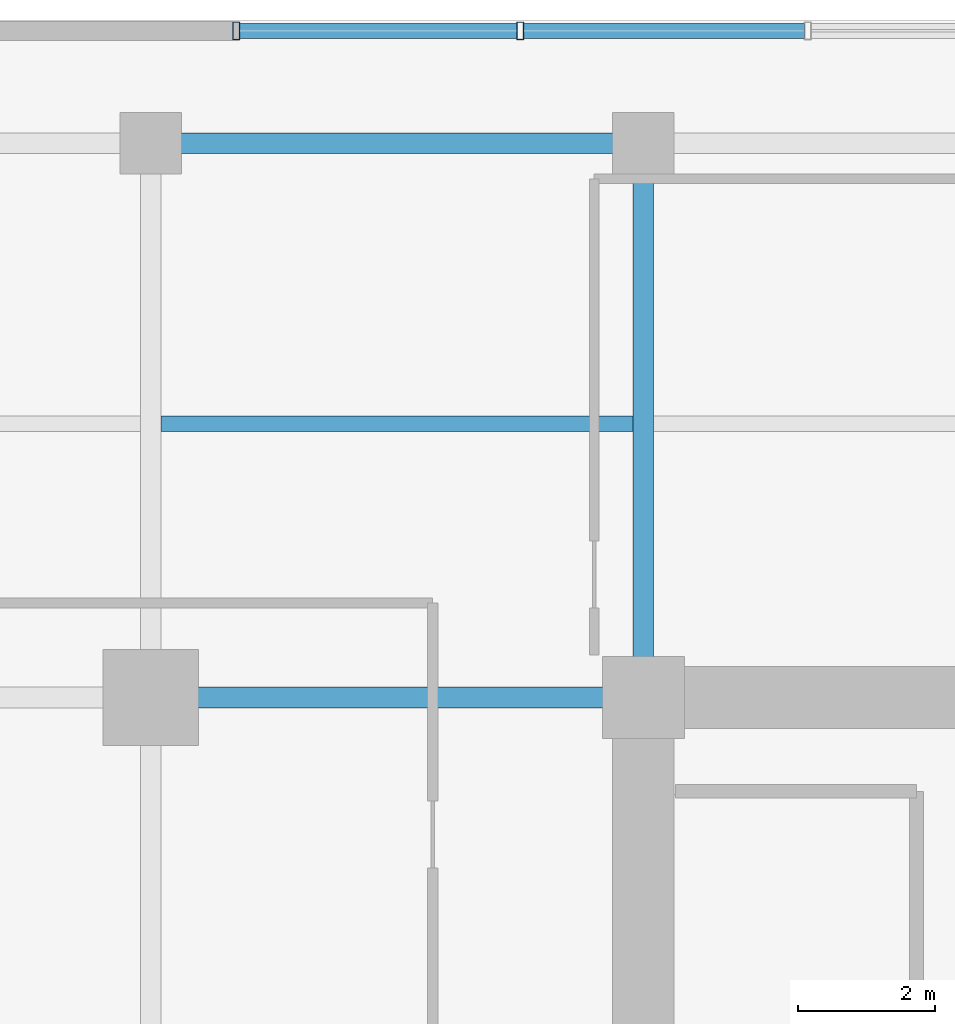
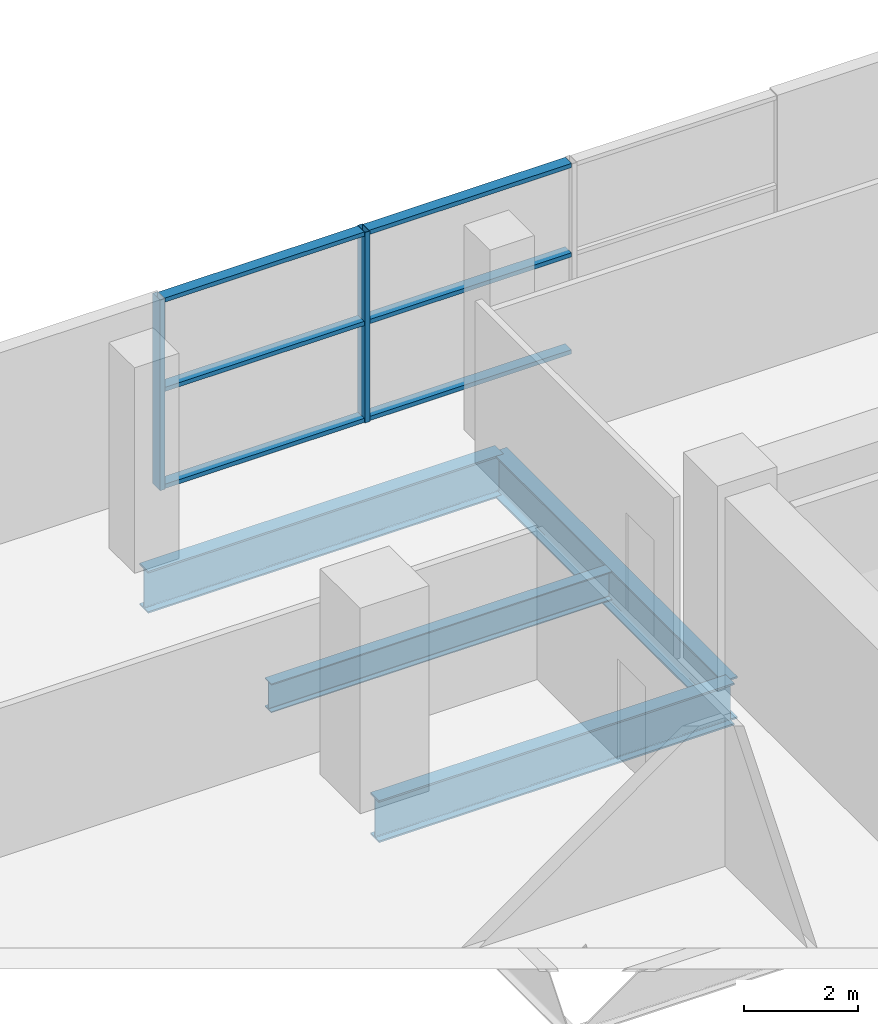
# One storey, part 8 of 21: 8 members, 4 beams, 1 element without a shape of its own.
"""IFC4 building model written with IfcOpenShell, lengths in metres."""

from ifc_helpers import new_model, si_unit, direction, frame, origin, origin_2d, place, context, subcontext, project, spatial, hollow_rectangle, i_section, extrude, source, transform, mapped, material, layer, layer_set, material_profile, profile_set, type_object, element, aggregate, save


model = new_model("IFC4")

# Units and contexts
model_context = context("Model", 3, precision=1e-05, world=origin(), true_north=direction((0.0, 1.0)))
body_context = subcontext(model_context, "Body", "Model", "MODEL_VIEW")
ifc_project = project(units=[si_unit("LENGTHUNIT", "METRE"), si_unit("AREAUNIT", "SQUARE_METRE"), si_unit("VOLUMEUNIT", "CUBIC_METRE"), si_unit("PLANEANGLEUNIT", "RADIAN"), si_unit("MASSUNIT", "GRAM", prefix="KILO")], contexts=[model_context])

# Site, building, storey
site_placement = place(None, origin())
site = spatial("IfcSite", under=ifc_project, at=site_placement, CompositionType="ELEMENT")
building_placement = place(site_placement, origin())
building = spatial("IfcBuilding", under=site, at=building_placement, Name="Zarnakvel Exchange Tower", CompositionType="ELEMENT")
storey_placement = place(building_placement, frame((0.0, 0.0, 18.199951171875)))
storey = spatial("IfcBuildingStorey", under=building, at=storey_placement, Name="L04", CompositionType="ELEMENT", Elevation=18.199951171875)

# Beams
ifc_material_1 = material(Name="Steel S355", Category="steel")
ifc_material_profile_1 = material_profile(ifc_material_1, i_section(OverallWidth=0.230224609375, OverallDepth=0.6171875, WebThickness=0.01318359375, FlangeThickness=0.022216796875, FilletRadius=0.0126953125, at=origin_2d()))
ifc_profile_set_1 = profile_set([ifc_material_profile_1], Name="Steel S355")
beam_type_1 = type_object("IfcBeamType", Name="B-02", PredefinedType="JOIST", material=ifc_profile_set_1)
beam_1_placement = place(storey_placement, frame((-21.449951171875, 17.5, -0.608642578125), z_axis=(1.0, 0.0, 0.0), x_axis=(0.0, 1.0, 0.0)))
element("IfcBeam", 1, at=beam_1_placement, inside=storey, type_object=beam_type_1, Name="L04 North Bay Secondary Floor Joist", PredefinedType="JOIST", context=body_context, shape_type="SweptSolid", body=[
    extrude(i_section(OverallWidth=0.230224609375, OverallDepth=0.6171875, WebThickness=0.01318359375, FlangeThickness=0.022216796875, FilletRadius=0.0126953125, at=origin_2d()), origin(), (0.0, 0.0, 1.0), 6.89990234375),
])
ifc_material_profile_2 = material_profile(ifc_material_1, i_section(OverallWidth=0.300048828125, OverallDepth=0.89990234375, WebThickness=0.0185546875, FlangeThickness=0.034912109375, FilletRadius=0.030029296875, at=origin_2d()))
ifc_profile_set_2 = profile_set([ifc_material_profile_2], Name="Steel S355")
beam_type_2 = type_object("IfcBeamType", Name="G-01", PredefinedType="BEAM", material=ifc_profile_set_2)
for number, where, z_axis, x_axis, name in (
    (2, (-21.60009765625, 13.5, -0.75), (1.0, 0.0, 0.0), (0.0, 1.0, 0.0), "L04 Primary E-W Girder Y=+13.5"),
    (3, (-21.60009765625, 21.60009765625, -0.75), (1.0, 0.0, 0.0), (0.0, 1.0, 0.0), "L04 Primary E-W Girder Y=+21.6"),
):
    element("IfcBeam", number, at=place(storey_placement, frame(where, z_axis=z_axis, x_axis=x_axis)), inside=storey, type_object=beam_type_2, Name=name, PredefinedType="BEAM", context=body_context, shape_type="SweptSolid", body=[
        extrude(i_section(OverallWidth=0.300048828125, OverallDepth=0.89990234375, WebThickness=0.0185546875, FlangeThickness=0.034912109375, FilletRadius=0.030029296875, at=origin_2d()), origin(), (0.0, 0.0, 1.0), 7.2001953125),
    ])
beam_2_placement = place(storey_placement, frame((-14.39990234375, 13.5, -0.75), z_axis=(0.0, 1.0, 0.0), x_axis=(-1.0, 0.0, 0.0)))
element("IfcBeam", 4, at=beam_2_placement, inside=storey, type_object=beam_type_2, Name="L04 Primary N-S Girder X=-14.4", PredefinedType="BEAM", context=body_context, shape_type="SweptSolid", body=[
    extrude(i_section(OverallWidth=0.300048828125, OverallDepth=0.89990234375, WebThickness=0.0185546875, FlangeThickness=0.034912109375, FilletRadius=0.030029296875, at=origin_2d()), origin(), (0.0, 0.0, 1.0), 8.10009765625),
])

# Curtain wall, members
ifc_material_2 = material(Name="Architectural Bronze Anodised Aluminium", Category="aluminium")
ifc_layer = layer(ifc_material_2, 0.260009765625)
ifc_layer_set = layer_set([ifc_layer], Name="Architectural Bronze Anodised Aluminium")
curtain_wall_type = type_object("IfcCurtainWallType", Name="CW-01", PredefinedType="NOTDEFINED", material=ifc_layer_set)
curtain_wall_placement = place(storey_placement, origin())
curtain_wall = element("IfcCurtainWall", 5, at=curtain_wall_placement, inside=storey, type_object=curtain_wall_type, Name="L04 Curtain Wall CW-L04-N1 (CW-01)", PredefinedType="NOTDEFINED")
ifc_material_profile_3 = material_profile(ifc_material_2, hollow_rectangle(XDim=0.219970703125, YDim=0.090087890625, WallThickness=0.0048828125, at=origin_2d()))
ifc_profile_set_3 = profile_set([ifc_material_profile_3], Name="Architectural Bronze Anodised Aluminium")
member_type_1 = type_object("IfcMemberType", Name="CWT-01", PredefinedType="USERDEFINED", material=ifc_profile_set_3)
shared_shape_1 = source(origin(), body_context, "Body", "SweptSolid", [
    extrude(hollow_rectangle(XDim=0.219970703125, YDim=0.090087890625, WallThickness=0.0048828125, at=origin_2d()), origin(), (0.0, 0.0, 1.0), 4.050048828125),
])
member_1_placement = place(storey_placement, frame((-20.300048828125, 23.239990234375, 0.045166015625), z_axis=(1.0, 0.0, 0.0), x_axis=(0.0, 1.0, 0.0)))
member_1 = element("IfcMember", 6, at=member_1_placement, type_object=member_type_1, Name="CW-01 transom 1.1", ObjectType="TRANSOM", PredefinedType="USERDEFINED", context=body_context, shape_type="MappedRepresentation", body=[
    mapped(shared_shape_1, transform((0.0, 0.0, 0.0), x_axis=(1.0, 0.0, 0.0), y_axis=(0.0, 1.0, 0.0), z_axis=(0.0, 0.0, 1.0), scale=1.0)),
])
member_2_placement = place(storey_placement, frame((-20.300048828125, 23.239990234375, 2.12158203125), z_axis=(1.0, 0.0, 0.0), x_axis=(0.0, 1.0, 0.0)))
member_2 = element("IfcMember", 7, at=member_2_placement, type_object=member_type_1, Name="CW-01 transom 1.2", ObjectType="TRANSOM", PredefinedType="USERDEFINED", context=body_context, shape_type="MappedRepresentation", body=[
    mapped(shared_shape_1, transform((0.0, 0.0, 0.0), x_axis=(1.0, 0.0, 0.0), y_axis=(0.0, 1.0, 0.0), z_axis=(0.0, 0.0, 1.0), scale=1.0)),
])
member_3_placement = place(storey_placement, frame((-20.300048828125, 23.239990234375, 4.03515625), z_axis=(1.0, 0.0, 0.0), x_axis=(0.0, 1.0, 0.0)))
member_3 = element("IfcMember", 8, at=member_3_placement, type_object=member_type_1, Name="CW-01 transom 1.3", ObjectType="TRANSOM", PredefinedType="USERDEFINED", context=body_context, shape_type="MappedRepresentation", body=[
    mapped(shared_shape_1, transform((0.0, 0.0, 0.0), x_axis=(1.0, 0.0, 0.0), y_axis=(0.0, 1.0, 0.0), z_axis=(0.0, 0.0, 1.0), scale=1.0)),
])
shared_shape_2 = source(origin(), body_context, "Body", "SweptSolid", [
    extrude(hollow_rectangle(XDim=0.219970703125, YDim=0.090087890625, WallThickness=0.0048828125, at=origin_2d()), origin(), (0.0, 0.0, 1.0), 4.099853515625),
])
member_4_placement = place(storey_placement, frame((-16.14990234375, 23.239990234375, 0.045166015625), z_axis=(1.0, 0.0, 0.0), x_axis=(0.0, 1.0, 0.0)))
member_4 = element("IfcMember", 9, at=member_4_placement, type_object=member_type_1, Name="CW-01 transom 2.1", ObjectType="TRANSOM", PredefinedType="USERDEFINED", context=body_context, shape_type="MappedRepresentation", body=[
    mapped(shared_shape_2, transform((0.0, 0.0, 0.0), x_axis=(1.0, 0.0, 0.0), y_axis=(0.0, 1.0, 0.0), z_axis=(0.0, 0.0, 1.0), scale=1.0)),
])
member_5_placement = place(storey_placement, frame((-16.14990234375, 23.239990234375, 2.12158203125), z_axis=(1.0, 0.0, 0.0), x_axis=(0.0, 1.0, 0.0)))
member_5 = element("IfcMember", 10, at=member_5_placement, type_object=member_type_1, Name="CW-01 transom 2.2", ObjectType="TRANSOM", PredefinedType="USERDEFINED", context=body_context, shape_type="MappedRepresentation", body=[
    mapped(shared_shape_2, transform((0.0, 0.0, 0.0), x_axis=(1.0, 0.0, 0.0), y_axis=(0.0, 1.0, 0.0), z_axis=(0.0, 0.0, 1.0), scale=1.0)),
])
member_6_placement = place(storey_placement, frame((-16.14990234375, 23.239990234375, 4.03515625), z_axis=(1.0, 0.0, 0.0), x_axis=(0.0, 1.0, 0.0)))
member_6 = element("IfcMember", 11, at=member_6_placement, type_object=member_type_1, Name="CW-01 transom 2.3", ObjectType="TRANSOM", PredefinedType="USERDEFINED", context=body_context, shape_type="MappedRepresentation", body=[
    mapped(shared_shape_2, transform((0.0, 0.0, 0.0), x_axis=(1.0, 0.0, 0.0), y_axis=(0.0, 1.0, 0.0), z_axis=(0.0, 0.0, 1.0), scale=1.0)),
])
ifc_material_profile_4 = material_profile(ifc_material_2, hollow_rectangle(XDim=0.260009765625, YDim=0.10009765625, WallThickness=0.006103515625, at=origin_2d()))
ifc_profile_set_4 = profile_set([ifc_material_profile_4], Name="Architectural Bronze Anodised Aluminium")
member_type_2 = type_object("IfcMemberType", Name="CWM-01", PredefinedType="MULLION", material=ifc_profile_set_4)
shared_shape_3 = source(origin(), body_context, "Body", "SweptSolid", [
    extrude(hollow_rectangle(XDim=0.260009765625, YDim=0.10009765625, WallThickness=0.006103515625, at=origin_2d()), origin(), (0.0, 0.0, 1.0), 4.080078125),
])
member_7_placement = place(storey_placement, frame((-20.35009765625, 23.239990234375, 0.0), z_axis=(0.0, 0.0, 1.0), x_axis=(0.0, 1.0, 0.0)))
member_7 = element("IfcMember", 12, at=member_7_placement, type_object=member_type_2, Name="CW-01 mullion 1", PredefinedType="MULLION", context=body_context, shape_type="MappedRepresentation", body=[
    mapped(shared_shape_3, transform((0.0, 0.0, 0.0), x_axis=(1.0, 0.0, 0.0), y_axis=(0.0, 1.0, 0.0), z_axis=(0.0, 0.0, 1.0), scale=1.0)),
])
member_8_placement = place(storey_placement, frame((-16.199951171875, 23.239990234375, 0.0), z_axis=(0.0, 0.0, 1.0), x_axis=(0.0, 1.0, 0.0)))
member_8 = element("IfcMember", 13, at=member_8_placement, type_object=member_type_2, Name="CW-01 mullion 2", PredefinedType="MULLION", context=body_context, shape_type="MappedRepresentation", body=[
    mapped(shared_shape_3, transform((0.0, 0.0, 0.0), x_axis=(1.0, 0.0, 0.0), y_axis=(0.0, 1.0, 0.0), z_axis=(0.0, 0.0, 1.0), scale=1.0)),
])
aggregate(curtain_wall, [member_7, member_8, member_1, member_2, member_3, member_4, member_5, member_6])

save(model, "model.ifc")
